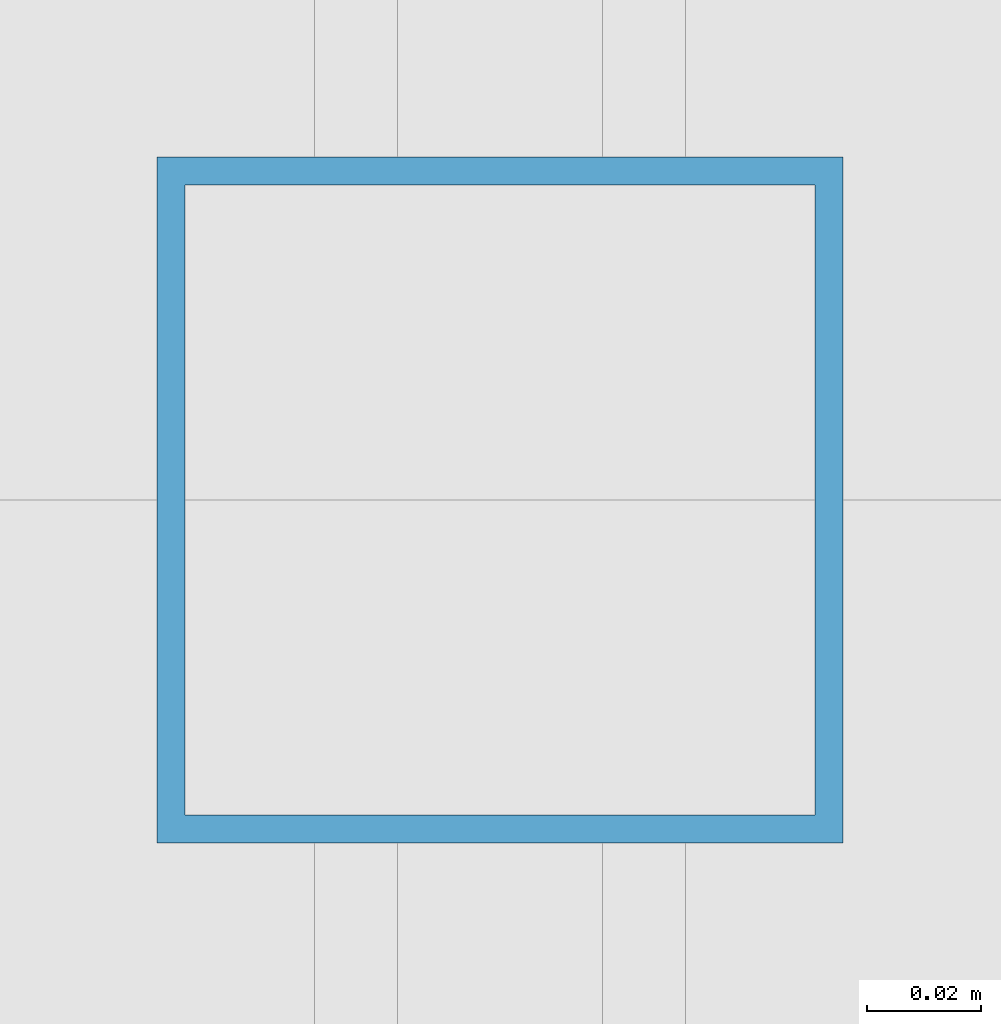
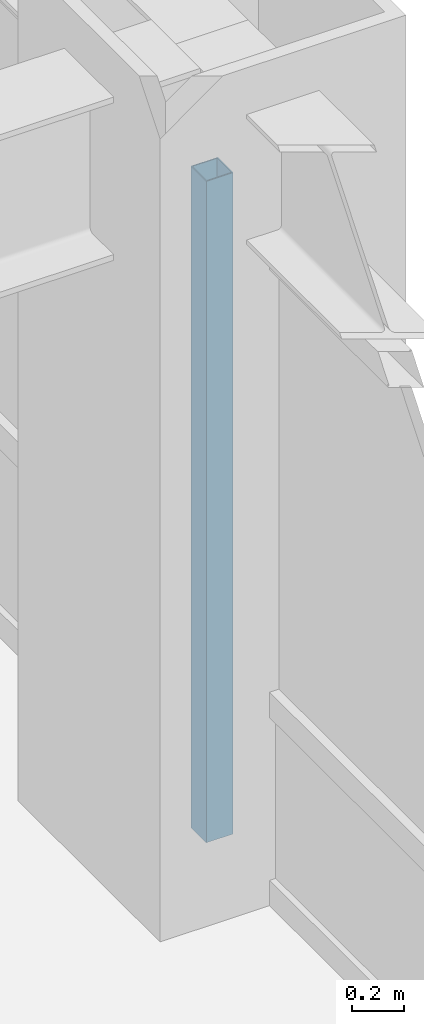
# One storey, part 10 of 28: 1 member, 1 element without a shape of its own.
"""IFC4 building model written with IfcOpenShell, lengths in metres."""

from ifc_helpers import new_model, si_unit, direction, frame, origin, origin_2d, place, context, subcontext, project, spatial, hollow_rectangle, extrude, source, transform, mapped, material, material_profile, profile_set, type_object, element, aggregate, save


model = new_model("IFC4")

# Units and contexts
model_context = context("Model", 3, precision=1e-05, world=origin(), true_north=direction((0.0, 1.0)))
body_context = subcontext(model_context, "Body", "Model", "MODEL_VIEW")
ifc_project = project(units=[si_unit("LENGTHUNIT", "METRE"), si_unit("AREAUNIT", "SQUARE_METRE"), si_unit("VOLUMEUNIT", "CUBIC_METRE"), si_unit("PLANEANGLEUNIT", "RADIAN"), si_unit("MASSUNIT", "GRAM", prefix="KILO")], contexts=[model_context])

# Site, building, storey
site_placement = place(None, origin())
site = spatial("IfcSite", under=ifc_project, at=site_placement, CompositionType="ELEMENT")
building_placement = place(site_placement, origin())
building = spatial("IfcBuilding", under=site, at=building_placement, Name="Khorayat Bourse Tower", CompositionType="ELEMENT")
storey_placement = place(building_placement, frame((0.0, 0.0, 183.10009765625)))
storey = spatial("IfcBuildingStorey", under=building, at=storey_placement, Name="L42", CompositionType="ELEMENT", Elevation=183.10009765625)

# Curtain wall, member
ifc_material = material(Name="Aluminium EN AW-6063 T6", Category="aluminium")
curtain_wall_type = type_object("IfcCurtainWallType", Name="CW-SYS-03", PredefinedType="NOTDEFINED", material=ifc_material)
curtain_wall_placement = place(storey_placement, origin())
curtain_wall = element("IfcCurtainWall", 1, at=curtain_wall_placement, inside=storey, type_object=curtain_wall_type, Name="L42 Curtain Wall CW-L42-E1", PredefinedType="NOTDEFINED")
ifc_material_profile = material_profile(ifc_material, hollow_rectangle(XDim=0.1201171875, YDim=0.1201171875, WallThickness=0.0048828125, at=origin_2d()), Name="ALU 120x120x5")
ifc_profile_set = profile_set([ifc_material_profile], Name="Aluminium EN AW-6063 T6")
member_type = type_object("IfcMemberType", Name="CWM-VERT-120", PredefinedType="MULLION", material=ifc_profile_set)
shared_shape = source(origin(), body_context, "Body", "SweptSolid", [
    extrude(hollow_rectangle(XDim=0.1201171875, YDim=0.1201171875, WallThickness=0.0048828125, at=origin_2d()), origin(), (0.0, 0.0, 1.0), 3.1298828125),
])
member_placement = place(storey_placement, frame((30.0, 0.0, 0.0), z_axis=(0.0, 0.0, 1.0), x_axis=(-1.0, 0.0, 0.0)))
member = element("IfcMember", 2, at=member_placement, type_object=member_type, Name="CW-L42-E1 Vertical Mullion 2", PredefinedType="MULLION", context=body_context, shape_type="MappedRepresentation", body=[
    mapped(shared_shape, transform((0.0, 0.0, 0.0), scale=1.0)),
])
aggregate(curtain_wall, [member])

save(model, "model.ifc")
